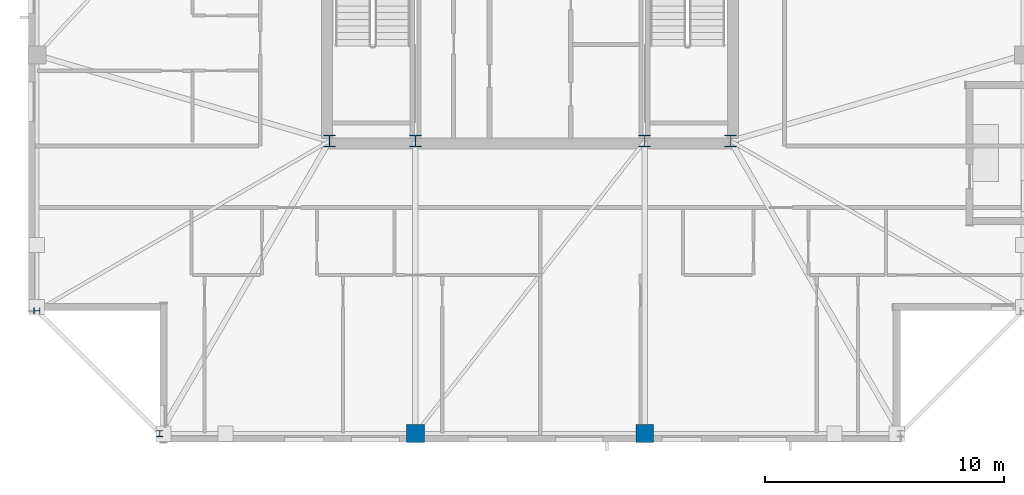
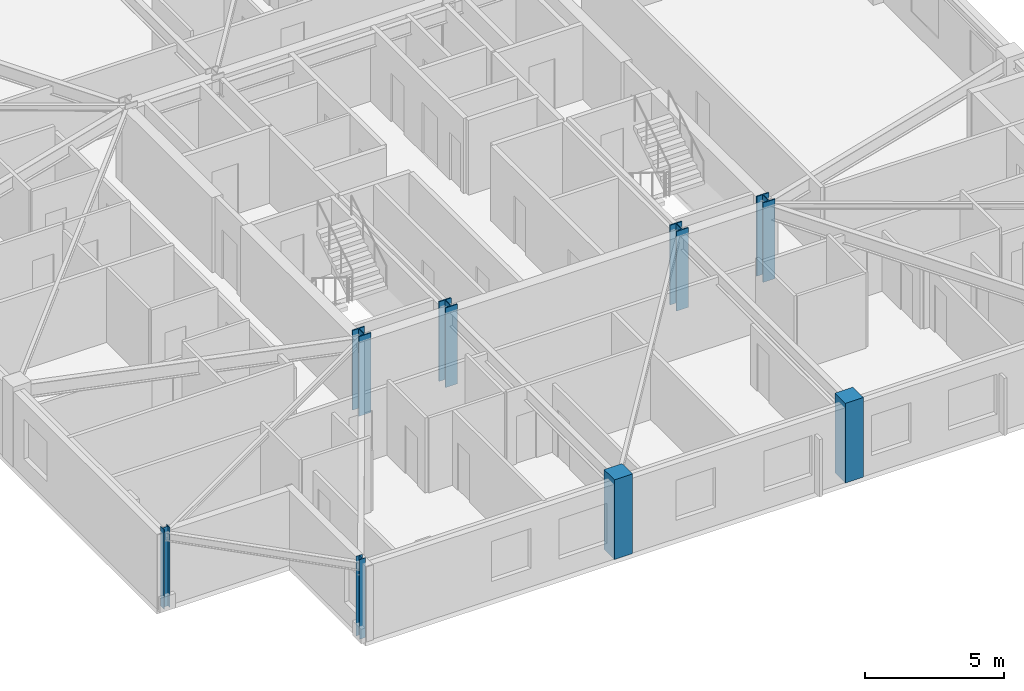
# One storey, part 1 of 14: 8 columns.
"""IFC4 building model written with IfcOpenShell, lengths in metres."""

from ifc_helpers import new_model, si_unit, direction, frame, origin, origin_2d, place, context, subcontext, project, spatial, rectangle, i_section, extrude, material, material_profile, profile_set, type_object, element, save


model = new_model("IFC4")

# Units and contexts
model_context = context("Model", 3, precision=1e-05, world=origin(), true_north=direction((0.0, 1.0)))
body_context = subcontext(model_context, "Body", "Model", "MODEL_VIEW")
ifc_project = project(units=[si_unit("LENGTHUNIT", "METRE"), si_unit("AREAUNIT", "SQUARE_METRE"), si_unit("VOLUMEUNIT", "CUBIC_METRE"), si_unit("PLANEANGLEUNIT", "RADIAN"), si_unit("MASSUNIT", "GRAM", prefix="KILO")], contexts=[model_context])

# Site, building, storey
site_placement = place(None, origin())
site = spatial("IfcSite", under=ifc_project, at=site_placement, CompositionType="ELEMENT")
building_placement = place(site_placement, origin())
building = spatial("IfcBuilding", under=site, at=building_placement, Name="Cairnveth Concourse Tower", CompositionType="ELEMENT")
storey_placement = place(building_placement, frame((0.0, 0.0, 294.5)))
storey = spatial("IfcBuildingStorey", under=building, at=storey_placement, Name="L81", CompositionType="ELEMENT", Elevation=294.5)

# Columns
ifc_material_1 = material(Name="Concrete N50 (50 MPa)", Category="concrete")
ifc_material_profile_1 = material_profile(ifc_material_1, rectangle(XDim=0.75, YDim=0.75, at=origin_2d()), Name="RC-COL-750x750")
ifc_profile_set_1 = profile_set([ifc_material_profile_1], Name="Concrete N50 (50 MPa)")
column_type_1 = type_object("IfcColumnType", Name="PERIMETER PIER COLUMN 750X750", PredefinedType="COLUMN", material=ifc_profile_set_1)
for number, where, z_axis, x_axis, name in (
    (1, (47.199951171875, 18.35009765625, 0.0), (0.0, 0.0, 1.0), (1.0, 0.0, 0.0), "Column P-S2 L81"),
    (2, (56.800048828125, 18.35009765625, 0.0), (0.0, 0.0, 1.0), (1.0, 0.0, 0.0), "Column P-S3 L81"),
):
    element("IfcColumn", number, at=place(storey_placement, frame(where, z_axis=z_axis, x_axis=x_axis)), inside=storey, type_object=column_type_1, Name=name, PredefinedType="COLUMN", context=body_context, shape_type="SweptSolid", body=[
        extrude(rectangle(XDim=0.75, YDim=0.75, at=origin_2d()), origin(), (0.0, 0.0, 1.0), 3.5),
    ])
ifc_material_2 = material(Name="Steel Grade 350", Category="steel")
ifc_material_profile_2 = material_profile(ifc_material_2, i_section(OverallWidth=0.25390625, OverallDepth=0.25390625, WebThickness=0.008544921875, FlangeThickness=0.01416015625, FilletRadius=0.012939453125, at=origin_2d()), Name="250UC72.9")
ifc_profile_set_2 = profile_set([ifc_material_profile_2], Name="Steel Grade 350")
column_type_2 = type_object("IfcColumnType", Name="UNIVERSAL STEEL COLUMN 250UC72.9", PredefinedType="COLUMN", material=ifc_profile_set_2)
for number, where, z_axis, x_axis, name in (
    (3, (36.5, 18.35009765625, 0.0), (0.0, 0.0, 1.0), (1.0, 0.0, 0.0), "Column P-S1 L81"),
    (4, (31.35009765625, 23.5, 0.0), (0.0, 0.0, 1.0), (0.0, 1.0, 0.0), "Column P-W4 L81"),
):
    element("IfcColumn", number, at=place(storey_placement, frame(where, z_axis=z_axis, x_axis=x_axis)), inside=storey, type_object=column_type_2, Name=name, PredefinedType="COLUMN", context=body_context, shape_type="SweptSolid", body=[
        extrude(i_section(OverallWidth=0.25390625, OverallDepth=0.25390625, WebThickness=0.008544921875, FlangeThickness=0.01416015625, FilletRadius=0.012939453125, at=origin_2d()), origin(), (0.0, 0.0, 1.0), 3.5),
    ])
ifc_material_profile_3 = material_profile(ifc_material_2, i_section(OverallWidth=0.5, OverallDepth=0.5, WebThickness=0.028076171875, FlangeThickness=0.044921875, at=origin_2d()), Name="500WC383")
ifc_profile_set_3 = profile_set([ifc_material_profile_3], Name="Steel Grade 350")
column_type_3 = type_object("IfcColumnType", Name="WELDED STEEL COLUMN 500WC383", PredefinedType="COLUMN", material=ifc_profile_set_3)
for number, where, z_axis, x_axis, name in (
    (5, (43.60009765625, 30.60009765625, 0.0), (0.0, 0.0, 1.0), (1.0, 0.0, 0.0), "Column CC1 L81"),
    (6, (47.199951171875, 30.60009765625, 0.0), (0.0, 0.0, 1.0), (1.0, 0.0, 0.0), "Column CC2 L81"),
    (7, (56.800048828125, 30.60009765625, 0.0), (0.0, 0.0, 1.0), (1.0, 0.0, 0.0), "Column CC3 L81"),
    (8, (60.39990234375, 30.60009765625, 0.0), (0.0, 0.0, 1.0), (1.0, 0.0, 0.0), "Column CC4 L81"),
):
    element("IfcColumn", number, at=place(storey_placement, frame(where, z_axis=z_axis, x_axis=x_axis)), inside=storey, type_object=column_type_3, Name=name, PredefinedType="COLUMN", context=body_context, shape_type="SweptSolid", body=[
        extrude(i_section(OverallWidth=0.5, OverallDepth=0.5, WebThickness=0.028076171875, FlangeThickness=0.044921875, at=origin_2d()), origin(), (0.0, 0.0, 1.0), 3.5),
    ])

save(model, "model.ifc")
